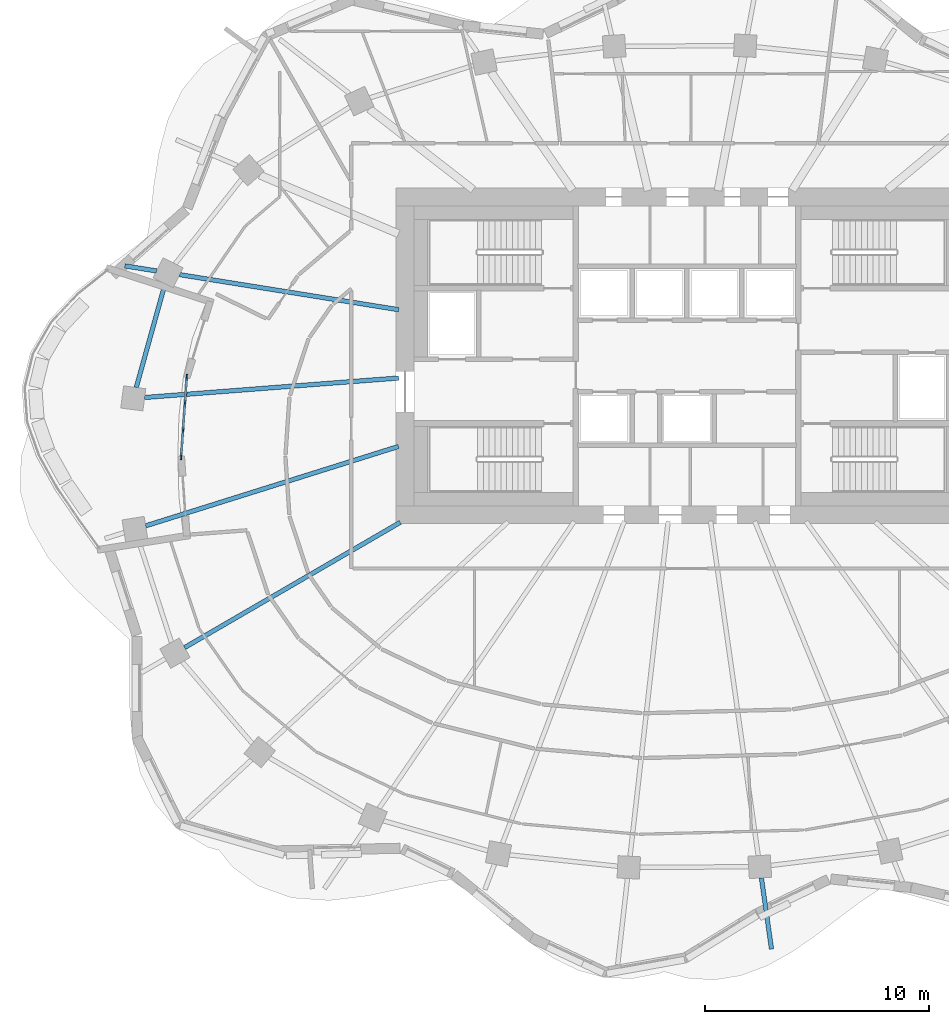
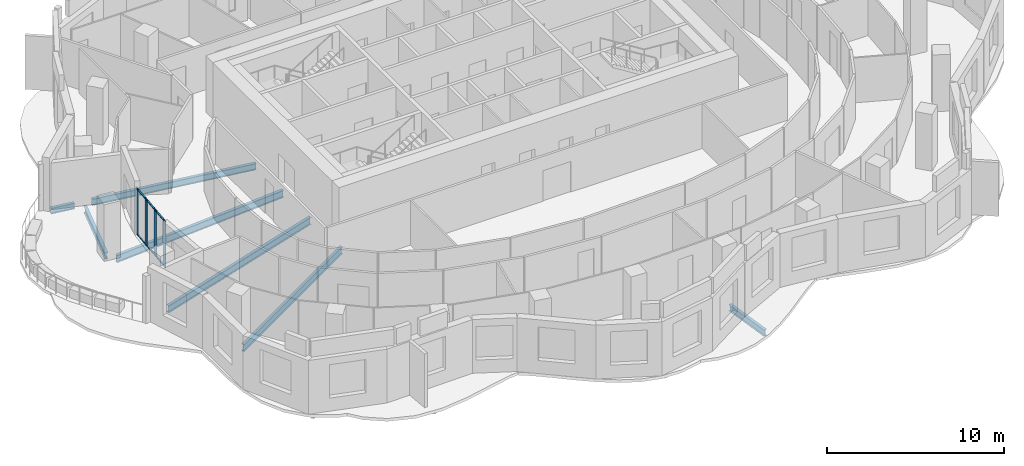
# One storey, part 2 of 13: 10 members, 7 beams, 1 element without a shape of its own.
"""IFC4 building model written with IfcOpenShell, lengths in metres."""

from ifc_helpers import new_model, si_unit, direction, frame, origin, origin_2d, place, context, subcontext, project, spatial, rectangle, i_section, extrude, material, material_profile, profile_set, type_object, element, aggregate, save


model = new_model("IFC4")

# Units and contexts
model_context = context("Model", 3, precision=1e-05, world=origin(), true_north=direction((0.0, 1.0)))
body_context = subcontext(model_context, "Body", "Model", "MODEL_VIEW")
ifc_project = project(units=[si_unit("LENGTHUNIT", "METRE"), si_unit("AREAUNIT", "SQUARE_METRE"), si_unit("VOLUMEUNIT", "CUBIC_METRE"), si_unit("PLANEANGLEUNIT", "RADIAN"), si_unit("MASSUNIT", "GRAM", prefix="KILO")], contexts=[model_context])

# Site, building, storey
site_placement = place(None, origin())
site = spatial("IfcSite", under=ifc_project, at=site_placement, CompositionType="ELEMENT")
building_placement = place(site_placement, origin())
building = spatial("IfcBuilding", under=site, at=building_placement, Name="Rubra Terraces Tower", CompositionType="ELEMENT")
storey_placement = place(building_placement, frame((0.0, 0.0, 209.10009765625)))
storey = spatial("IfcBuildingStorey", under=building, at=storey_placement, Name="L51", CompositionType="ELEMENT", Elevation=209.10009765625)

# Beams
ifc_material_1 = material(Name="Steel Q355B", Category="steel")
ifc_material_profile_1 = material_profile(ifc_material_1, i_section(OverallWidth=0.198974609375, OverallDepth=0.446044921875, WebThickness=0.008056640625, FlangeThickness=0.011962890625, at=origin_2d()), Name="HN 446x199x8x12")
ifc_profile_set_1 = profile_set([ifc_material_profile_1], Name="Steel Q355B")
beam_type_1 = type_object("IfcBeamType", Name="CANTILEVER BEAM HN 446x199x8x12", PredefinedType="BEAM", material=ifc_profile_set_1)
beam_1_placement = place(storey_placement, frame((3.324951171875, -18.826904296875, -0.423095703125), z_axis=(0.141017135848, -0.990007155225, 0.0), x_axis=(0.990007155225, 0.141017135848, 0.0)))
element("IfcBeam", 1, at=beam_1_placement, inside=storey, type_object=beam_type_1, Name="beam-L51-cant-19", PredefinedType="BEAM", context=body_context, shape_type="SweptSolid", body=[
    extrude(i_section(OverallWidth=0.198974609375, OverallDepth=0.446044921875, WebThickness=0.008056640625, FlangeThickness=0.011962890625, at=origin_2d()), origin(), (0.0, 0.0, 1.0), 3.21337890625),
])
ifc_material_profile_2 = material_profile(ifc_material_1, i_section(OverallWidth=0.199951171875, OverallDepth=0.39990234375, WebThickness=0.008056640625, FlangeThickness=0.012939453125, at=origin_2d()), Name="HN 400x200x8x13")
ifc_profile_set_2 = profile_set([ifc_material_profile_2], Name="Steel Q355B")
beam_type_2 = type_object("IfcBeamType", Name="CANTILEVER STUB HN 400x200x8x13", PredefinedType="BEAM", material=ifc_profile_set_2)
beam_2_placement = place(storey_placement, frame((-23.702880859375, 8.29296875, -0.400146484375), z_axis=(-0.987493698574, 0.157658476703, 0.0), x_axis=(-0.157658476703, -0.987493698574, 0.0)))
element("IfcBeam", 2, at=beam_2_placement, inside=storey, type_object=beam_type_2, Name="beam-L51-cant-11", PredefinedType="BEAM", context=body_context, shape_type="SweptSolid", body=[
    extrude(i_section(OverallWidth=0.199951171875, OverallDepth=0.39990234375, WebThickness=0.008056640625, FlangeThickness=0.012939453125, at=origin_2d()), origin(), (0.0, 0.0, 1.0), 1.433837890625),
])
ifc_material_profile_3 = material_profile(ifc_material_1, i_section(OverallWidth=0.198974609375, OverallDepth=0.446044921875, WebThickness=0.008056640625, FlangeThickness=0.011962890625, at=origin_2d()), Name="HN 446x199x8x12")
ifc_profile_set_3 = profile_set([ifc_material_profile_3], Name="Steel Q355B")
beam_type_3 = type_object("IfcBeamType", Name="FLOOR BEAM HN 446x199x8x12", PredefinedType="BEAM", material=ifc_profile_set_3)
beam_3_placement = place(storey_placement, frame((-22.6669921875, 8.126953125, -0.423095703125), z_axis=(0.987435404133, -0.158023171289, 0.0), x_axis=(0.158023171289, 0.987435404133, 0.0)))
element("IfcBeam", 3, at=beam_3_placement, inside=storey, type_object=beam_type_3, Name="beam-L51-floor-11", PredefinedType="BEAM", context=body_context, shape_type="SweptSolid", body=[
    extrude(i_section(OverallWidth=0.198974609375, OverallDepth=0.446044921875, WebThickness=0.008056640625, FlangeThickness=0.011962890625, at=origin_2d()), origin(), (0.0, 0.0, 1.0), 9.909423828125),
])
ifc_material_profile_4 = material_profile(ifc_material_1, i_section(OverallWidth=0.198974609375, OverallDepth=0.49609375, WebThickness=0.009033203125, FlangeThickness=0.013916015625, at=origin_2d()), Name="HN 496x199x9x14")
ifc_profile_set_4 = profile_set([ifc_material_profile_4], Name="Steel Q355B")
beam_type_4 = type_object("IfcBeamType", Name="FLOOR BEAM HN 496x199x9x14", PredefinedType="BEAM", material=ifc_profile_set_4)
beam_4_placement = place(storey_placement, frame((-24.23388671875, 2.637939453125, -0.447998046875), z_axis=(0.997063306908, 0.076581734234, 0.0), x_axis=(-0.076581734234, 0.997063306908, 0.0)))
element("IfcBeam", 4, at=beam_4_placement, inside=storey, type_object=beam_type_4, Name="beam-L51-floor-12", PredefinedType="BEAM", context=body_context, shape_type="SweptSolid", body=[
    extrude(i_section(OverallWidth=0.198974609375, OverallDepth=0.49609375, WebThickness=0.009033203125, FlangeThickness=0.013916015625, at=origin_2d()), origin(), (0.0, 0.0, 1.0), 11.387451171875),
])
beam_5_placement = place(storey_placement, frame((-24.18701171875, -3.096923828125, -0.447998046875), z_axis=(0.954040699023, 0.299677067204, 0.0), x_axis=(-0.299677067204, 0.954040699023, 0.0)))
element("IfcBeam", 5, at=beam_5_placement, inside=storey, type_object=beam_type_4, Name="beam-L51-floor-13", PredefinedType="BEAM", context=body_context, shape_type="SweptSolid", body=[
    extrude(i_section(OverallWidth=0.198974609375, OverallDepth=0.49609375, WebThickness=0.009033203125, FlangeThickness=0.013916015625, at=origin_2d()), origin(), (0.0, 0.0, 1.0), 11.845458984375),
])
beam_6_placement = place(storey_placement, frame((-22.447021484375, -8.535888671875, -0.447998046875), z_axis=(0.864755491844, 0.502193129508, 0.0), x_axis=(-0.502193129508, 0.864755491844, 0.0)))
element("IfcBeam", 6, at=beam_6_placement, inside=storey, type_object=beam_type_4, Name="beam-L51-floor-14", PredefinedType="BEAM", context=body_context, shape_type="SweptSolid", body=[
    extrude(i_section(OverallWidth=0.198974609375, OverallDepth=0.49609375, WebThickness=0.009033203125, FlangeThickness=0.013916015625, at=origin_2d()), origin(), (0.0, 0.0, 1.0), 11.14306640625),
])
ifc_material_profile_5 = material_profile(ifc_material_1, i_section(OverallWidth=0.198974609375, OverallDepth=0.446044921875, WebThickness=0.008056640625, FlangeThickness=0.011962890625, at=origin_2d()), Name="HN 446x199x8x12")
ifc_profile_set_5 = profile_set([ifc_material_profile_5], Name="Steel Q355B")
beam_type_5 = type_object("IfcBeamType", Name="SPANDREL BEAM HN 446x199x8x12", PredefinedType="SPANDREL", material=ifc_profile_set_5)
beam_7_placement = place(storey_placement, frame((-23.321044921875, 7.718994140625, -0.423095703125), z_axis=(-0.267625533012, -0.963523001324, 0.0), x_axis=(0.963523001324, -0.267625533012, 0.0)))
element("IfcBeam", 7, at=beam_7_placement, inside=storey, type_object=beam_type_5, Name="beam-L51-spandrel-11", PredefinedType="SPANDREL", context=body_context, shape_type="SweptSolid", body=[
    extrude(i_section(OverallWidth=0.198974609375, OverallDepth=0.446044921875, WebThickness=0.008056640625, FlangeThickness=0.011962890625, at=origin_2d()), origin(), (0.0, 0.0, 1.0), 4.808349609375),
])

# Curtain wall, members
ifc_material_2 = material(Name="Aluminium and glass", Category="aluminium")
curtain_wall_type = type_object("IfcCurtainWallType", Name="Curtain wall Terrace glazing", PredefinedType="NOTDEFINED", material=ifc_material_2)
curtain_wall_placement = place(storey_placement, origin())
curtain_wall = element("IfcCurtainWall", 8, at=curtain_wall_placement, inside=storey, type_object=curtain_wall_type, Name="Terrace glazing L51", PredefinedType="NOTDEFINED")
ifc_material_3 = material(Name="Aluminium, anodised dark grey", Category="aluminium")
ifc_material_profile_6 = material_profile(ifc_material_3, rectangle(XDim=0.050048828125, YDim=0.300048828125, at=origin_2d()), Name="AL 50x300")
ifc_profile_set_6 = profile_set([ifc_material_profile_6], Name="Aluminium, anodised dark grey")
member_type_1 = type_object("IfcMemberType", Name="Terrace glazing mullion 50 x 300", PredefinedType="MULLION", material=ifc_profile_set_6)
member_1_placement = place(storey_placement, frame((-22.35107421875, 3.528564453125, 0.0), z_axis=(0.0, 0.0, 1.0), x_axis=(0.997529242184, -0.070252480296, 0.0)))
member_1 = element("IfcMember", 9, at=member_1_placement, type_object=member_type_1, Name="CW3 mullion 1", PredefinedType="MULLION", context=body_context, shape_type="SweptSolid", body=[
    extrude(rectangle(XDim=0.050048828125, YDim=0.300048828125, at=origin_2d()), origin(), (0.0, 0.0, 1.0), 3.203857421875),
])
member_2_placement = place(storey_placement, frame((-22.43310546875, 2.365478515625, 0.0), z_axis=(0.0, 0.0, 1.0), x_axis=(0.997529242184, -0.070252480296, 0.0)))
member_2 = element("IfcMember", 10, at=member_2_placement, type_object=member_type_1, Name="CW3 mullion 2", PredefinedType="MULLION", context=body_context, shape_type="SweptSolid", body=[
    extrude(rectangle(XDim=0.050048828125, YDim=0.300048828125, at=origin_2d()), origin(), (0.0, 0.0, 1.0), 3.203857421875),
])
member_3_placement = place(storey_placement, frame((-22.516845703125, 1.177490234375, 0.0), z_axis=(0.0, 0.0, 1.0), x_axis=(0.997529242184, -0.070252480296, 0.0)))
member_3 = element("IfcMember", 11, at=member_3_placement, type_object=member_type_1, Name="CW3 mullion 3", PredefinedType="MULLION", context=body_context, shape_type="SweptSolid", body=[
    extrude(rectangle(XDim=0.050048828125, YDim=0.300048828125, at=origin_2d()), origin(), (0.0, 0.0, 1.0), 3.203857421875),
])
member_4_placement = place(storey_placement, frame((-22.5986328125, 0.014404296875, 0.0), z_axis=(0.0, 0.0, 1.0), x_axis=(0.997529242184, -0.070252480296, 0.0)))
member_4 = element("IfcMember", 12, at=member_4_placement, type_object=member_type_1, Name="CW3 mullion 4", PredefinedType="MULLION", context=body_context, shape_type="SweptSolid", body=[
    extrude(rectangle(XDim=0.050048828125, YDim=0.300048828125, at=origin_2d()), origin(), (0.0, 0.0, 1.0), 3.203857421875),
])
ifc_material_profile_7 = material_profile(ifc_material_3, rectangle(XDim=0.10009765625, YDim=0.050048828125, at=origin_2d()), Name="AL 100x50")
ifc_profile_set_7 = profile_set([ifc_material_profile_7], Name="Aluminium, anodised dark grey")
member_type_2 = type_object("IfcMemberType", Name="Terrace glazing transom 100 x 50", PredefinedType="USERDEFINED", material=ifc_profile_set_7)
member_5_placement = place(storey_placement, frame((-22.35302734375, 3.503662109375, 0.0498046875), z_axis=(-0.070220964704, -0.997531461216, 0.0), x_axis=(0.997531461216, -0.070220964704, 0.0)))
member_5 = element("IfcMember", 13, at=member_5_placement, type_object=member_type_2, Name="CW3 transom 1.1", ObjectType="TRANSOM", PredefinedType="USERDEFINED", context=body_context, shape_type="SweptSolid", body=[
    extrude(rectangle(XDim=0.10009765625, YDim=0.050048828125, at=origin_2d()), origin(), (0.0, 0.0, 1.0), 1.115966796875),
])
member_6_placement = place(storey_placement, frame((-22.35302734375, 3.503662109375, 3.15380859375), z_axis=(-0.070220964704, -0.997531461216, 0.0), x_axis=(0.997531461216, -0.070220964704, 0.0)))
member_6 = element("IfcMember", 14, at=member_6_placement, type_object=member_type_2, Name="CW3 transom 1.2", ObjectType="TRANSOM", PredefinedType="USERDEFINED", context=body_context, shape_type="SweptSolid", body=[
    extrude(rectangle(XDim=0.10009765625, YDim=0.050048828125, at=origin_2d()), origin(), (0.0, 0.0, 1.0), 1.115966796875),
])
member_7_placement = place(storey_placement, frame((-22.434814453125, 2.340576171875, 0.0498046875), z_axis=(-0.070182583705, -0.997534162294, 0.0), x_axis=(0.997534162294, -0.070182583705, 0.0)))
member_7 = element("IfcMember", 15, at=member_7_placement, type_object=member_type_2, Name="CW3 transom 2.1", ObjectType="TRANSOM", PredefinedType="USERDEFINED", context=body_context, shape_type="SweptSolid", body=[
    extrude(rectangle(XDim=0.10009765625, YDim=0.050048828125, at=origin_2d()), origin(), (0.0, 0.0, 1.0), 1.14111328125),
])
member_8_placement = place(storey_placement, frame((-22.434814453125, 2.340576171875, 3.15380859375), z_axis=(-0.070182583705, -0.997534162294, 0.0), x_axis=(0.997534162294, -0.070182583705, 0.0)))
member_8 = element("IfcMember", 16, at=member_8_placement, type_object=member_type_2, Name="CW3 transom 2.2", ObjectType="TRANSOM", PredefinedType="USERDEFINED", context=body_context, shape_type="SweptSolid", body=[
    extrude(rectangle(XDim=0.10009765625, YDim=0.050048828125, at=origin_2d()), origin(), (0.0, 0.0, 1.0), 1.14111328125),
])
member_9_placement = place(storey_placement, frame((-22.5185546875, 1.152587890625, 0.0498046875), z_axis=(-0.070220964704, -0.997531461216, 0.0), x_axis=(0.997531461216, -0.070220964704, 0.0)))
member_9 = element("IfcMember", 17, at=member_9_placement, type_object=member_type_2, Name="CW3 transom 3.1", ObjectType="TRANSOM", PredefinedType="USERDEFINED", context=body_context, shape_type="SweptSolid", body=[
    extrude(rectangle(XDim=0.10009765625, YDim=0.050048828125, at=origin_2d()), origin(), (0.0, 0.0, 1.0), 1.115966796875),
])
member_10_placement = place(storey_placement, frame((-22.5185546875, 1.152587890625, 3.15380859375), z_axis=(-0.070220964704, -0.997531461216, 0.0), x_axis=(0.997531461216, -0.070220964704, 0.0)))
member_10 = element("IfcMember", 18, at=member_10_placement, type_object=member_type_2, Name="CW3 transom 3.2", ObjectType="TRANSOM", PredefinedType="USERDEFINED", context=body_context, shape_type="SweptSolid", body=[
    extrude(rectangle(XDim=0.10009765625, YDim=0.050048828125, at=origin_2d()), origin(), (0.0, 0.0, 1.0), 1.115966796875),
])
aggregate(curtain_wall, [member_1, member_2, member_3, member_4, member_5, member_6, member_7, member_8, member_9, member_10])

save(model, "model.ifc")
